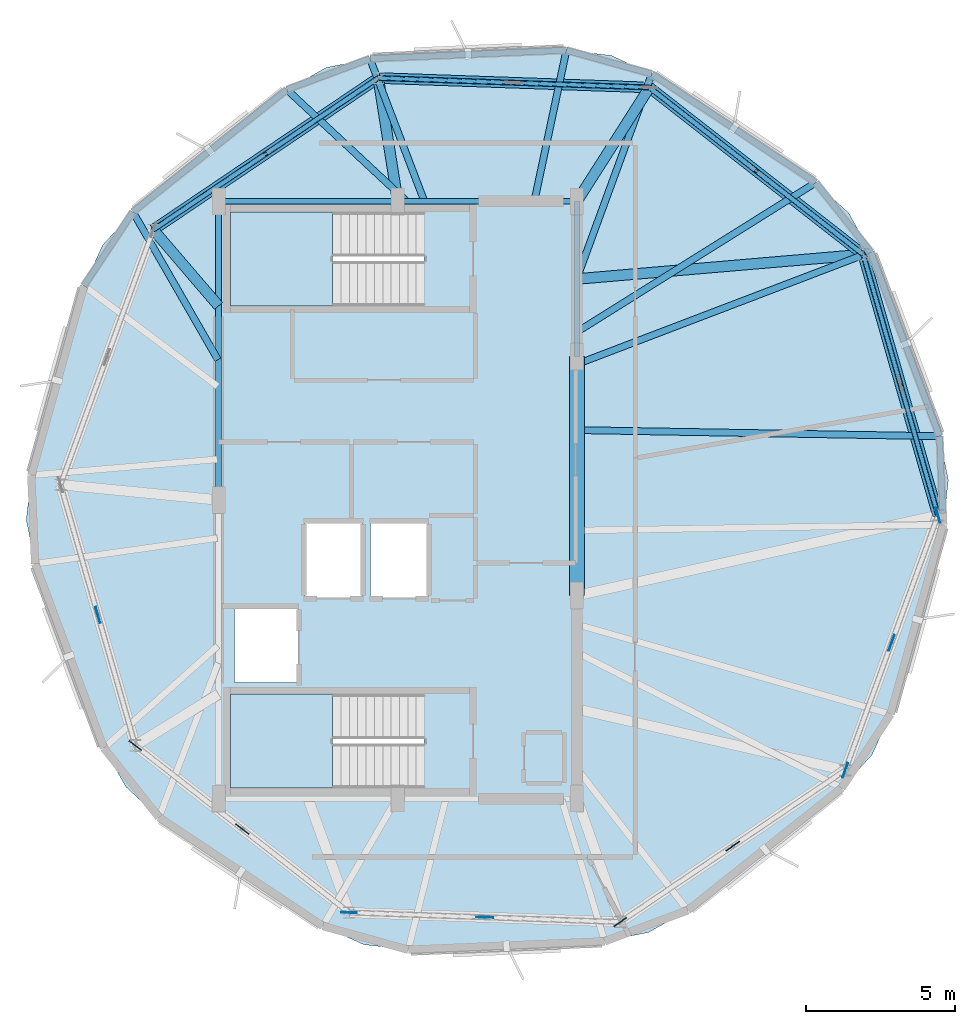
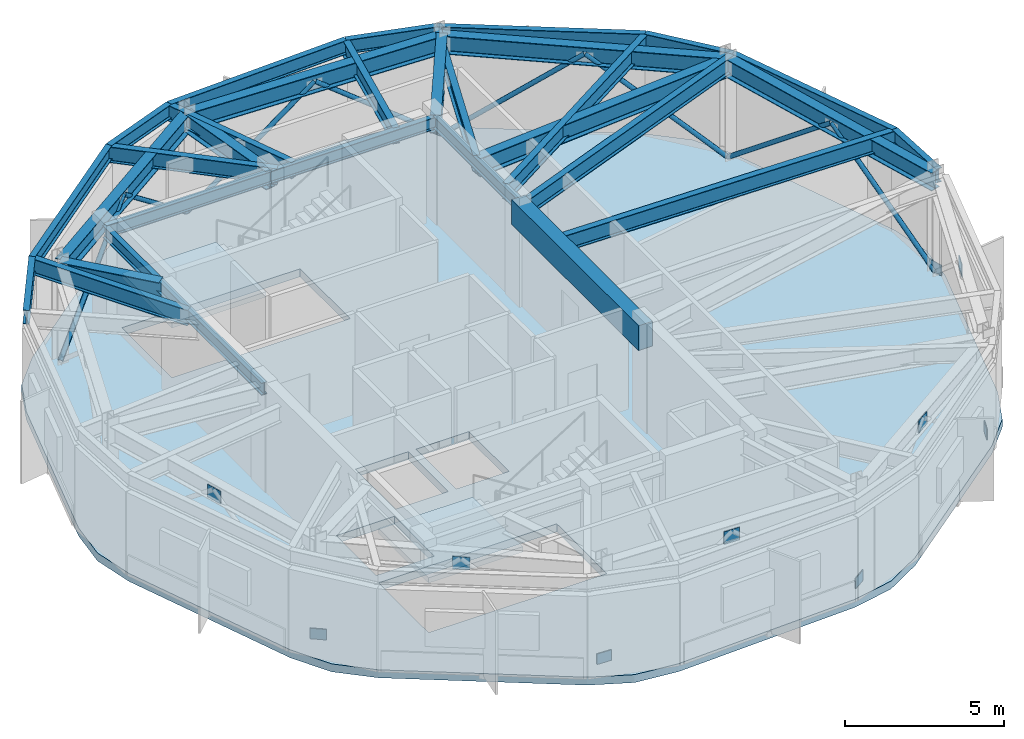
# One storey, part 2 of 6: 30 beams, 10 plates, 8 members, 3 slabs, 2 elements without a shape of their own.
"""IFC4 building model written with IfcOpenShell, lengths in metres."""

from ifc_helpers import new_model, si_unit, direction, frame, origin, origin_2d, place, context, subcontext, project, spatial, polyline, rectangle, hollow_circle, i_section, outline, extrude, material, layer, layer_set, material_profile, profile_set, type_object, element, aggregate, save


model = new_model("IFC4")

# Units and contexts
model_context = context("Model", 3, precision=1e-05, world=origin(), true_north=direction((0.0, 1.0)))
body_context = subcontext(model_context, "Body", "Model", "MODEL_VIEW")
ifc_project = project(units=[si_unit("LENGTHUNIT", "METRE"), si_unit("AREAUNIT", "SQUARE_METRE"), si_unit("VOLUMEUNIT", "CUBIC_METRE"), si_unit("PLANEANGLEUNIT", "RADIAN"), si_unit("MASSUNIT", "GRAM", prefix="KILO")], contexts=[model_context])

# Site, building, storey
site_placement = place(None, origin())
site = spatial("IfcSite", under=ifc_project, at=site_placement, CompositionType="ELEMENT")
building_placement = place(site_placement, origin())
building = spatial("IfcBuilding", under=site, at=building_placement, Name="Soratama Intermodal Tower", CompositionType="ELEMENT")
storey_placement = place(building_placement, frame((0.0, 0.0, 309.85009765625)))
storey = spatial("IfcBuildingStorey", under=building, at=storey_placement, Name="L78", CompositionType="ELEMENT", Elevation=309.85009765625)

# Beams
ifc_material_1 = material(Name="Concrete f'c 56 MPa", Category="concrete")
ifc_material_profile_1 = material_profile(ifc_material_1, rectangle(XDim=0.5, YDim=0.949951171875, at=origin_2d()), Name="RC500X950")
ifc_profile_set_1 = profile_set([ifc_material_profile_1], Name="Concrete f'c 56 MPa")
beam_type_1 = type_object("IfcBeamType", Name="BM-CPL-RC500X950", PredefinedType="BEAM", material=ifc_profile_set_1)
beam_1_placement = place(storey_placement, frame((44.60009765625, 21.800048828125, 3.419921875), z_axis=(0.0, 1.0, 0.0), x_axis=(-1.0, 0.0, 0.0)))
element("IfcBeam", 1, at=beam_1_placement, inside=storey, type_object=beam_type_1, Name="L78 Core Coupling Beam East", PredefinedType="BEAM", context=body_context, shape_type="SweptSolid", body=[
    extrude(rectangle(XDim=0.5, YDim=0.949951171875, at=origin_2d()), origin(), (0.0, 0.0, 1.0), 8.0),
])
ifc_material_2 = material(Name="Structural steel ASTM A992 Grade 50", Category="steel")
ifc_material_profile_2 = material_profile(ifc_material_2, i_section(OverallWidth=0.19091796875, OverallDepth=0.4599609375, WebThickness=0.010009765625, FlangeThickness=0.01611328125, FilletRadius=0.010986328125, at=origin_2d()), Name="W18X55")
ifc_profile_set_2 = profile_set([ifc_material_profile_2], Name="Structural steel ASTM A992 Grade 50")
beam_type_2 = type_object("IfcBeamType", Name="BM-FLR-W18X55", PredefinedType="BEAM", material=ifc_profile_set_2)
beam_2_placement = place(storey_placement, frame((44.60009765625, 29.800048828125, 3.664794921875), z_axis=(0.0, 1.0, 0.0), x_axis=(-1.0, 0.0, 0.0)))
element("IfcBeam", 2, at=beam_2_placement, inside=storey, type_object=beam_type_2, Name="BM-L78-CRING-05", PredefinedType="BEAM", context=body_context, shape_type="SweptSolid", body=[
    extrude(i_section(OverallWidth=0.19091796875, OverallDepth=0.4599609375, WebThickness=0.010009765625, FlangeThickness=0.01611328125, FilletRadius=0.010986328125, at=origin_2d()), origin(), (0.0, 0.0, 1.0), 5.199951171875),
])
for number, where, z_axis, x_axis, name in (
    (3, (44.60009765625, 35.0, 3.664794921875), (-1.0, 0.0, 0.0), (0.0, -1.0, 0.0), "BM-L78-CRING-06"),
    (4, (38.60009765625, 35.0, 3.664794921875), (-1.0, 0.0, 0.0), (0.0, -1.0, 0.0), "BM-L78-CRING-07"),
):
    element("IfcBeam", number, at=place(storey_placement, frame(where, z_axis=z_axis, x_axis=x_axis)), inside=storey, type_object=beam_type_2, Name=name, PredefinedType="BEAM", context=body_context, shape_type="SweptSolid", body=[
        extrude(i_section(OverallWidth=0.19091796875, OverallDepth=0.4599609375, WebThickness=0.010009765625, FlangeThickness=0.01611328125, FilletRadius=0.010986328125, at=origin_2d()), origin(), (0.0, 0.0, 1.0), 6.0),
    ])
beam_3_placement = place(storey_placement, frame((32.60009765625, 35.0, 3.664794921875), z_axis=(0.0, -1.0, 0.0), x_axis=(1.0, 0.0, 0.0)))
element("IfcBeam", 5, at=beam_3_placement, inside=storey, type_object=beam_type_2, Name="BM-L78-CRING-08", PredefinedType="BEAM", context=body_context, shape_type="SweptSolid", body=[
    extrude(i_section(OverallWidth=0.19091796875, OverallDepth=0.4599609375, WebThickness=0.010009765625, FlangeThickness=0.01611328125, FilletRadius=0.010986328125, at=origin_2d()), origin(), (0.0, 0.0, 1.0), 10.0),
])
ifc_material_3 = material(Name="Structural steel ASTM A992 Grade 50", Category="steel")
ifc_material_profile_3 = material_profile(ifc_material_3, i_section(OverallWidth=0.35498046875, OverallDepth=0.695068359375, WebThickness=0.015380859375, FlangeThickness=0.02490234375, FilletRadius=0.01611328125, at=origin_2d()), Name="W27X146")
ifc_profile_set_3 = profile_set([ifc_material_profile_3], Name="Structural steel ASTM A992 Grade 50")
beam_type_3 = type_object("IfcBeamType", Name="BM-RING-W27X146", PredefinedType="BEAM", material=ifc_profile_set_3)
beam_4_placement = place(storey_placement, frame((54.18701171875, 33.219970703125, 3.54736328125), z_axis=(-0.78801907717, 0.615650821502, 0.0), x_axis=(-0.615650821502, -0.78801907717, 0.0)))
element("IfcBeam", 6, at=beam_4_placement, inside=storey, type_object=beam_type_3, Name="BM-L78-RING-01", PredefinedType="BEAM", context=body_context, shape_type="SweptSolid", body=[
    extrude(i_section(OverallWidth=0.35498046875, OverallDepth=0.695068359375, WebThickness=0.015380859375, FlangeThickness=0.02490234375, FilletRadius=0.01611328125, at=origin_2d()), origin(), (0.0, 0.0, 1.0), 9.084716796875),
])
beam_5_placement = place(storey_placement, frame((47.028076171875, 38.81298828125, 3.54736328125), z_axis=(-0.999391551516, 0.034878743651, 0.0), x_axis=(-0.034878743651, -0.999391551516, 0.0)))
element("IfcBeam", 7, at=beam_5_placement, inside=storey, type_object=beam_type_3, Name="BM-L78-RING-02", PredefinedType="BEAM", context=body_context, shape_type="SweptSolid", body=[
    extrude(i_section(OverallWidth=0.35498046875, OverallDepth=0.695068359375, WebThickness=0.015380859375, FlangeThickness=0.02490234375, FilletRadius=0.01611328125, at=origin_2d()), origin(), (0.0, 0.0, 1.0), 9.085693359375),
])
beam_6_placement = place(storey_placement, frame((37.947998046875, 39.1298828125, 3.54736328125), z_axis=(-0.829065755123, -0.559151118824, 0.0), x_axis=(0.559151118824, -0.829065755123, 0.0)))
element("IfcBeam", 8, at=beam_6_placement, inside=storey, type_object=beam_type_3, Name="BM-L78-RING-03", PredefinedType="BEAM", context=body_context, shape_type="SweptSolid", body=[
    extrude(i_section(OverallWidth=0.35498046875, OverallDepth=0.695068359375, WebThickness=0.015380859375, FlangeThickness=0.02490234375, FilletRadius=0.01611328125, at=origin_2d()), origin(), (0.0, 0.0, 1.0), 9.0849609375),
])
beam_7_placement = place(storey_placement, frame((56.69091796875, 24.487060546875, 3.54736328125), z_axis=(-0.275615442928, 0.961267979088, 0.0), x_axis=(-0.961267979088, -0.275615442928, 0.0)))
element("IfcBeam", 9, at=beam_7_placement, inside=storey, type_object=beam_type_3, Name="BM-L78-RING-10", PredefinedType="BEAM", context=body_context, shape_type="SweptSolid", body=[
    extrude(i_section(OverallWidth=0.35498046875, OverallDepth=0.695068359375, WebThickness=0.015380859375, FlangeThickness=0.02490234375, FilletRadius=0.01611328125, at=origin_2d()), origin(), (0.0, 0.0, 1.0), 9.084716796875),
])
beam_8_placement = place(storey_placement, frame((44.60009765625, 32.39990234375, 3.54736328125), z_axis=(0.996361377068, 0.085229139899, 0.0), x_axis=(-0.085229139899, 0.996361377068, 0.0)))
element("IfcBeam", 10, at=beam_8_placement, inside=storey, type_object=beam_type_3, Name="BM-L78-RAD-01", PredefinedType="BEAM", context=body_context, shape_type="SweptSolid", body=[
    extrude(i_section(OverallWidth=0.35498046875, OverallDepth=0.695068359375, WebThickness=0.015380859375, FlangeThickness=0.02490234375, FilletRadius=0.01611328125, at=origin_2d()), origin(), (0.0, 0.0, 1.0), 9.621826171875),
])
beam_9_placement = place(storey_placement, frame((44.60009765625, 35.0, 3.54736328125), z_axis=(0.537116603261, 0.843508005001, 0.0), x_axis=(-0.843508005001, 0.537116603261, 0.0)))
element("IfcBeam", 11, at=beam_9_placement, inside=storey, type_object=beam_type_3, Name="BM-L78-RAD-02", PredefinedType="BEAM", context=body_context, shape_type="SweptSolid", body=[
    extrude(i_section(OverallWidth=0.35498046875, OverallDepth=0.695068359375, WebThickness=0.015380859375, FlangeThickness=0.02490234375, FilletRadius=0.01611328125, at=origin_2d()), origin(), (0.0, 0.0, 1.0), 4.5205078125),
])
beam_10_placement = place(storey_placement, frame((38.60009765625, 35.0, 3.54736328125), z_axis=(-0.155965571991, 0.987762491874, 0.0), x_axis=(-0.987762491874, -0.155965571991, 0.0)))
element("IfcBeam", 12, at=beam_10_placement, inside=storey, type_object=beam_type_3, Name="BM-L78-RAD-03", PredefinedType="BEAM", context=body_context, shape_type="SweptSolid", body=[
    extrude(i_section(OverallWidth=0.35498046875, OverallDepth=0.695068359375, WebThickness=0.015380859375, FlangeThickness=0.02490234375, FilletRadius=0.01611328125, at=origin_2d()), origin(), (0.0, 0.0, 1.0), 4.18115234375),
])
beam_11_placement = place(storey_placement, frame((32.60009765625, 31.5, 3.54736328125), z_axis=(-0.650503890691, 0.759502921782, 0.0), x_axis=(-0.759502921782, -0.650503890691, 0.0)))
element("IfcBeam", 13, at=beam_11_placement, inside=storey, type_object=beam_type_3, Name="BM-L78-RAD-04", PredefinedType="BEAM", context=body_context, shape_type="SweptSolid", body=[
    extrude(i_section(OverallWidth=0.35498046875, OverallDepth=0.695068359375, WebThickness=0.015380859375, FlangeThickness=0.02490234375, FilletRadius=0.01611328125, at=origin_2d()), origin(), (0.0, 0.0, 1.0), 3.357421875),
])
ifc_material_4 = material(Name="Structural steel ASTM A992 Grade 50", Category="steel")
ifc_material_profile_4 = material_profile(ifc_material_4, i_section(OverallWidth=0.2099609375, OverallDepth=0.537109375, WebThickness=0.010986328125, FlangeThickness=0.017333984375, FilletRadius=0.012939453125, at=origin_2d()), Name="W21X68")
ifc_profile_set_4 = profile_set([ifc_material_profile_4], Name="Structural steel ASTM A992 Grade 50")
beam_type_4 = type_object("IfcBeamType", Name="BM-SPN-W21X68", PredefinedType="SPANDREL", material=ifc_profile_set_4)
beam_12_placement = place(storey_placement, frame((44.248046875, 40.05908203125, 3.62646484375), z_axis=(-0.999074537911, -0.043012413301, 0.0), x_axis=(0.043012413301, -0.999074537911, 0.0)))
element("IfcBeam", 14, at=beam_12_placement, inside=storey, type_object=beam_type_4, Name="BS-L78-F01", PredefinedType="SPANDREL", context=body_context, shape_type="SweptSolid", body=[
    extrude(i_section(OverallWidth=0.2099609375, OverallDepth=0.537109375, WebThickness=0.010986328125, FlangeThickness=0.017333984375, FilletRadius=0.012939453125, at=origin_2d()), origin(), (0.0, 0.0, 1.0), 6.584228515625),
])
beam_13_placement = place(storey_placement, frame((37.669921875, 39.77587890625, 3.62646484375), z_axis=(-0.937010805341, -0.349300373138, 0.0), x_axis=(0.349300373138, -0.937010805341, 0.0)))
element("IfcBeam", 15, at=beam_13_placement, inside=storey, type_object=beam_type_4, Name="BS-L78-CRN01", PredefinedType="SPANDREL", context=body_context, shape_type="SweptSolid", body=[
    extrude(i_section(OverallWidth=0.2099609375, OverallDepth=0.537109375, WebThickness=0.010986328125, FlangeThickness=0.017333984375, FilletRadius=0.012939453125, at=origin_2d()), origin(), (0.0, 0.0, 1.0), 2.965576171875),
])
beam_14_placement = place(storey_placement, frame((34.89111328125, 38.739990234375, 3.62646484375), z_axis=(-0.78307419976, -0.621928289814, 0.0), x_axis=(0.621928289814, -0.78307419976, 0.0)))
element("IfcBeam", 16, at=beam_14_placement, inside=storey, type_object=beam_type_4, Name="BS-L78-F02", PredefinedType="SPANDREL", context=body_context, shape_type="SweptSolid", body=[
    extrude(i_section(OverallWidth=0.2099609375, OverallDepth=0.537109375, WebThickness=0.010986328125, FlangeThickness=0.017333984375, FilletRadius=0.012939453125, at=origin_2d()), origin(), (0.0, 0.0, 1.0), 6.584228515625),
])
beam_15_placement = place(storey_placement, frame((29.735107421875, 34.64501953125, 3.62646484375), z_axis=(-0.552495410826, -0.83351593927, 0.0), x_axis=(0.83351593927, -0.552495410826, 0.0)))
element("IfcBeam", 17, at=beam_15_placement, inside=storey, type_object=beam_type_4, Name="BS-L78-CRN02", PredefinedType="SPANDREL", context=body_context, shape_type="SweptSolid", body=[
    extrude(i_section(OverallWidth=0.2099609375, OverallDepth=0.537109375, WebThickness=0.010986328125, FlangeThickness=0.017333984375, FilletRadius=0.012939453125, at=origin_2d()), origin(), (0.0, 0.0, 1.0), 2.966796875),
])
beam_16_placement = place(storey_placement, frame((56.85107421875, 24.552978515625, 3.62646484375), z_axis=(-0.042982177272, 0.999075839182, 0.0), x_axis=(-0.999075839182, -0.042982177272, 0.0)))
element("IfcBeam", 18, at=beam_16_placement, inside=storey, type_object=beam_type_4, Name="BS-L78-CRN08", PredefinedType="SPANDREL", context=body_context, shape_type="SweptSolid", body=[
    extrude(i_section(OverallWidth=0.2099609375, OverallDepth=0.537109375, WebThickness=0.010986328125, FlangeThickness=0.017333984375, FilletRadius=0.012939453125, at=origin_2d()), origin(), (0.0, 0.0, 1.0), 2.58447265625),
])
beam_17_placement = place(storey_placement, frame((56.739990234375, 27.135009765625, 3.62646484375), z_axis=(-0.349481212587, 0.936943371847, 0.0), x_axis=(-0.936943371847, -0.349481212587, 0.0)))
element("IfcBeam", 19, at=beam_17_placement, inside=storey, type_object=beam_type_4, Name="BS-L78-F09", PredefinedType="SPANDREL", context=body_context, shape_type="SweptSolid", body=[
    extrude(i_section(OverallWidth=0.2099609375, OverallDepth=0.537109375, WebThickness=0.010986328125, FlangeThickness=0.017333984375, FilletRadius=0.012939453125, at=origin_2d()), origin(), (0.0, 0.0, 1.0), 6.584228515625),
])
beam_18_placement = place(storey_placement, frame((54.43896484375, 33.303955078125, 3.62646484375), z_axis=(-0.621931128655, 0.783071945104, 0.0), x_axis=(-0.783071945104, -0.621931128655, 0.0)))
element("IfcBeam", 20, at=beam_18_placement, inside=storey, type_object=beam_type_4, Name="BS-L78-CRN09", PredefinedType="SPANDREL", context=body_context, shape_type="SweptSolid", body=[
    extrude(i_section(OverallWidth=0.2099609375, OverallDepth=0.537109375, WebThickness=0.010986328125, FlangeThickness=0.017333984375, FilletRadius=0.012939453125, at=origin_2d()), origin(), (0.0, 0.0, 1.0), 2.966552734375),
])
beam_19_placement = place(storey_placement, frame((52.593994140625, 35.626953125, 3.62646484375), z_axis=(-0.833570379181, 0.552413271883, 0.0), x_axis=(-0.552413271883, -0.833570379181, 0.0)))
element("IfcBeam", 21, at=beam_19_placement, inside=storey, type_object=beam_type_4, Name="BS-L78-F10", PredefinedType="SPANDREL", context=body_context, shape_type="SweptSolid", body=[
    extrude(i_section(OverallWidth=0.2099609375, OverallDepth=0.537109375, WebThickness=0.010986328125, FlangeThickness=0.017333984375, FilletRadius=0.012939453125, at=origin_2d()), origin(), (0.0, 0.0, 1.0), 6.583740234375),
])
beam_20_placement = place(storey_placement, frame((47.10595703125, 39.263916015625, 3.62646484375), z_axis=(-0.963404631387, 0.26805133132, 0.0), x_axis=(-0.26805133132, -0.963404631387, 0.0)))
element("IfcBeam", 22, at=beam_20_placement, inside=storey, type_object=beam_type_4, Name="BS-L78-CRN10", PredefinedType="SPANDREL", context=body_context, shape_type="SweptSolid", body=[
    extrude(i_section(OverallWidth=0.2099609375, OverallDepth=0.537109375, WebThickness=0.010986328125, FlangeThickness=0.017333984375, FilletRadius=0.012939453125, at=origin_2d()), origin(), (0.0, 0.0, 1.0), 2.966552734375),
])
ifc_material_5 = material(Name="Structural steel ASTM A992 Grade 50", Category="steel")
ifc_material_profile_5 = material_profile(ifc_material_5, i_section(OverallWidth=0.22900390625, OverallDepth=0.612060546875, WebThickness=0.011962890625, FlangeThickness=0.01953125, FilletRadius=0.012939453125, at=origin_2d()), Name="W24X84")
ifc_profile_set_5 = profile_set([ifc_material_profile_5], Name="Structural steel ASTM A992 Grade 50")
beam_type_5 = type_object("IfcBeamType", Name="BM-TIE-W24X84", PredefinedType="BEAM", material=ifc_profile_set_5)
beam_21_placement = place(storey_placement, frame((43.18310546875, 35.0390625, 3.5888671875), z_axis=(0.207520763311, 0.978230613299, 0.0), x_axis=(-0.978230613299, 0.207520763311, 0.0)))
element("IfcBeam", 23, at=beam_21_placement, inside=storey, type_object=beam_type_5, Name="BM-L78-TIE0-01", PredefinedType="BEAM", context=body_context, shape_type="SweptSolid", body=[
    extrude(i_section(OverallWidth=0.22900390625, OverallDepth=0.612060546875, WebThickness=0.011962890625, FlangeThickness=0.01953125, FilletRadius=0.012939453125, at=origin_2d()), origin(), (0.0, 0.0, 1.0), 5.1318359375),
])
beam_22_placement = place(storey_placement, frame((39.47900390625, 35.037109375, 3.5888671875), z_axis=(-0.356655738735, 0.934235882434, 0.0), x_axis=(-0.934235882434, -0.356655738735, 0.0)))
element("IfcBeam", 24, at=beam_22_placement, inside=storey, type_object=beam_type_5, Name="BM-L78-TIE1-01", PredefinedType="BEAM", context=body_context, shape_type="SweptSolid", body=[
    extrude(i_section(OverallWidth=0.22900390625, OverallDepth=0.612060546875, WebThickness=0.011962890625, FlangeThickness=0.01953125, FilletRadius=0.012939453125, at=origin_2d()), origin(), (0.0, 0.0, 1.0), 5.072265625),
])
beam_23_placement = place(storey_placement, frame((38.8759765625, 35.027099609375, 3.5888671875), z_axis=(-0.731633365009, 0.68169833446, 0.0), x_axis=(-0.68169833446, -0.731633365009, 0.0)))
element("IfcBeam", 25, at=beam_23_placement, inside=storey, type_object=beam_type_5, Name="BM-L78-TIE0-02", PredefinedType="BEAM", context=body_context, shape_type="SweptSolid", body=[
    extrude(i_section(OverallWidth=0.22900390625, OverallDepth=0.612060546875, WebThickness=0.011962890625, FlangeThickness=0.01953125, FilletRadius=0.012939453125, at=origin_2d()), origin(), (0.0, 0.0, 1.0), 5.446533203125),
])
beam_24_placement = place(storey_placement, frame((32.580078125, 29.696044921875, 3.5888671875), z_axis=(-0.49838032151, 0.86695850831, 0.0), x_axis=(-0.86695850831, -0.49838032151, 0.0)))
element("IfcBeam", 26, at=beam_24_placement, inside=storey, type_object=beam_type_5, Name="BM-L78-TIE1-02", PredefinedType="BEAM", context=body_context, shape_type="SweptSolid", body=[
    extrude(i_section(OverallWidth=0.22900390625, OverallDepth=0.612060546875, WebThickness=0.011962890625, FlangeThickness=0.01953125, FilletRadius=0.012939453125, at=origin_2d()), origin(), (0.0, 0.0, 1.0), 5.70849609375),
])
beam_25_placement = place(storey_placement, frame((44.8349609375, 27.3369140625, 3.5888671875), z_axis=(0.999856217339, -0.016957141516, 0.0), x_axis=(0.016957141516, 0.999856217339, 0.0)))
element("IfcBeam", 27, at=beam_25_placement, inside=storey, type_object=beam_type_5, Name="BM-L78-TIE0-09", PredefinedType="BEAM", context=body_context, shape_type="SweptSolid", body=[
    extrude(i_section(OverallWidth=0.22900390625, OverallDepth=0.612060546875, WebThickness=0.011962890625, FlangeThickness=0.01953125, FilletRadius=0.012939453125, at=origin_2d()), origin(), (0.0, 0.0, 1.0), 11.90673828125),
])
beam_26_placement = place(storey_placement, frame((44.820068359375, 29.632080078125, 3.5888671875), z_axis=(0.93424410067, 0.35663421087, 0.0), x_axis=(-0.35663421087, 0.93424410067, 0.0)))
element("IfcBeam", 28, at=beam_26_placement, inside=storey, type_object=beam_type_5, Name="BM-L78-TIE1-09", PredefinedType="BEAM", context=body_context, shape_type="SweptSolid", body=[
    extrude(i_section(OverallWidth=0.22900390625, OverallDepth=0.612060546875, WebThickness=0.011962890625, FlangeThickness=0.01953125, FilletRadius=0.012939453125, at=origin_2d()), origin(), (0.0, 0.0, 1.0), 10.2958984375),
])
beam_27_placement = place(storey_placement, frame((44.634033203125, 30.64794921875, 3.5888671875), z_axis=(0.847805415822, 0.530307436213, 0.0), x_axis=(-0.530307436213, 0.847805415822, 0.0)))
element("IfcBeam", 29, at=beam_27_placement, inside=storey, type_object=beam_type_5, Name="BM-L78-TIE0-10", PredefinedType="BEAM", context=body_context, shape_type="SweptSolid", body=[
    extrude(i_section(OverallWidth=0.22900390625, OverallDepth=0.612060546875, WebThickness=0.011962890625, FlangeThickness=0.01953125, FilletRadius=0.012939453125, at=origin_2d()), origin(), (0.0, 0.0, 1.0), 9.388916015625),
])
beam_28_placement = place(storey_placement, frame((44.614013671875, 32.4560546875, 3.5888671875), z_axis=(0.3437351024, 0.93906665332, 0.0), x_axis=(-0.93906665332, 0.3437351024, 0.0)))
element("IfcBeam", 30, at=beam_28_placement, inside=storey, type_object=beam_type_5, Name="BM-L78-TIE1-10", PredefinedType="BEAM", context=body_context, shape_type="SweptSolid", body=[
    extrude(i_section(OverallWidth=0.22900390625, OverallDepth=0.612060546875, WebThickness=0.011962890625, FlangeThickness=0.01953125, FilletRadius=0.012939453125, at=origin_2d()), origin(), (0.0, 0.0, 1.0), 7.24951171875),
])

# Members
ifc_material_6 = material(Name="Structural steel ASTM A500 Grade C", Category="steel")
ifc_material_profile_6 = material_profile(ifc_material_6, hollow_circle(Radius=0.084228515625, WallThickness=0.008056640625, at=origin_2d()), Name="CHS168X8")
ifc_profile_set_6 = profile_set([ifc_material_profile_6], Name="Structural steel ASTM A500 Grade C")
member_type = type_object("IfcMemberType", Name="MB-STRUT-CHS168", PredefinedType="BRACE", material=ifc_profile_set_6)
member_1_placement = place(storey_placement, frame((54.18701171875, 33.22021484375, 0.010009765625), z_axis=(-0.621738877699, 0.485746749696, 0.614402850838), x_axis=(-0.615654471605, -0.788016225463, 0.0)))
element("IfcMember", 31, at=member_1_placement, inside=storey, type_object=member_type, Name="L78 Belt Truss Brace A 01", PredefinedType="BRACE", context=body_context, shape_type="SweptSolid", body=[
    extrude(hollow_circle(Radius=0.084228515625, WallThickness=0.008056640625, at=origin_2d()), origin(), (0.0, 0.0, 1.0), 5.75732421875),
])
member_2_placement = place(storey_placement, frame((47.027587890625, 38.8134765625, 0.010009765625), z_axis=(0.621764889491, -0.485733943198, 0.614386652379), x_axis=(0.615628397983, 0.788036595341, 0.0)))
element("IfcMember", 32, at=member_2_placement, inside=storey, type_object=member_type, Name="L78 Belt Truss Brace B 01", PredefinedType="BRACE", context=body_context, shape_type="SweptSolid", body=[
    extrude(hollow_circle(Radius=0.084228515625, WallThickness=0.008056640625, at=origin_2d()), origin(), (0.0, 0.0, 1.0), 5.757568359375),
])
for number, where, z_axis, x_axis, name in (
    (33, (47.027587890625, 38.8134765625, 0.010009765625), (-0.788514070384, 0.027520604016, 0.614400665007), (-0.034880617074, -0.999391486132, 0.0), "L78 Belt Truss Brace A 02"),
    (34, (37.947998046875, 39.130615234375, 0.010009765625), (0.78851314948, -0.027562976454, 0.614399947449), (0.034934296707, 0.99938961117, 0.0), "L78 Belt Truss Brace B 02"),
    (35, (37.947998046875, 39.130615234375, 0.010009765625), (-0.654091736188, -0.441220389954, 0.614400983185), (0.559218987032, -0.829019978373, 0.0), "L78 Belt Truss Brace A 03"),
    (36, (30.416259765625, 34.05029296875, 0.010009765625), (0.654103973867, 0.441186239489, 0.614412478273), (-0.55918204767, 0.829044894782, 0.0), "L78 Belt Truss Brace B 03"),
    (37, (56.69091796875, 24.487060546875, 0.010009765625), (-0.217455944317, 0.758424251971, 0.614414816148), (-0.961267979088, -0.275615442928, 0.0), "L78 Belt Truss Brace A 10"),
):
    element("IfcMember", number, at=place(storey_placement, frame(where, z_axis=z_axis, x_axis=x_axis)), inside=storey, type_object=member_type, Name=name, PredefinedType="BRACE", context=body_context, shape_type="SweptSolid", body=[
        extrude(hollow_circle(Radius=0.084228515625, WallThickness=0.008056640625, at=origin_2d()), origin(), (0.0, 0.0, 1.0), 5.75732421875),
    ])
member_3_placement = place(storey_placement, frame((54.18701171875, 33.22021484375, 0.010009765625), z_axis=(0.217448950763, -0.758442264692, 0.614395056084), x_axis=(0.961272061614, 0.275601203844, 0.0)))
element("IfcMember", 38, at=member_3_placement, inside=storey, type_object=member_type, Name="L78 Belt Truss Brace B 10", PredefinedType="BRACE", context=body_context, shape_type="SweptSolid", body=[
    extrude(hollow_circle(Radius=0.084228515625, WallThickness=0.008056640625, at=origin_2d()), origin(), (0.0, 0.0, 1.0), 5.757568359375),
])

# Plates
ifc_material_7 = material(Name="Structural steel ASTM A992 Grade 50", Category="steel")
ifc_layer_1 = layer(ifc_material_7, 0.030029296875)
ifc_layer_set_1 = layer_set([ifc_layer_1], Name="Structural steel ASTM A992 Grade 50")
plate_type = type_object("IfcPlateType", Name="PL-GUSSET-30", PredefinedType="USERDEFINED", material=ifc_layer_set_1)
for number, where, z_axis, x_axis, name in (
    (39, (28.56103515625, 21.146484375, 3.12744140625), (0.0, 0.0, 1.0), (0.275637355817, -0.961261695938, 0.0), "L78 Belt Truss Apex Gusset 05"),
    (40, (33.392578125, 13.983154296875, 3.12744140625), (0.0, 0.0, 1.0), (0.788010753607, -0.615661475326, 0.0), "L78 Belt Truss Apex Gusset 06"),
):
    element("IfcPlate", number, at=place(storey_placement, frame(where, z_axis=z_axis, x_axis=x_axis)), inside=storey, type_object=plate_type, Name=name, ObjectType="GUSSET PLATE", PredefinedType="USERDEFINED", context=body_context, shape_type="SweptSolid", body=[
        extrude(rectangle(XDim=0.56005859375, YDim=0.030029296875, at=origin_2d()), origin(), (0.0, 0.0, 1.0), 0.47998046875),
    ])
plate_1_placement = place(storey_placement, frame((29.81298828125, 16.77978515625, -0.02001953125), z_axis=(0.0, 0.0, 1.0), x_axis=(0.788010753607, -0.615661475326, 0.0)))
element("IfcPlate", 41, at=plate_1_placement, inside=storey, type_object=plate_type, Name="L78 Belt Truss Foot Gusset 06", ObjectType="GUSSET PLATE", PredefinedType="USERDEFINED", context=body_context, shape_type="SweptSolid", body=[
    extrude(rectangle(XDim=0.52001953125, YDim=0.030029296875, at=origin_2d()), origin(), (0.0, 0.0, 1.0), 0.419921875),
])
plate_2_placement = place(storey_placement, frame((41.51220703125, 11.028076171875, 3.12744140625), z_axis=(0.0, 0.0, 1.0), x_axis=(0.999390827019, -0.034899496703, 0.0)))
element("IfcPlate", 42, at=plate_2_placement, inside=storey, type_object=plate_type, Name="L78 Belt Truss Apex Gusset 07", ObjectType="GUSSET PLATE", PredefinedType="USERDEFINED", context=body_context, shape_type="SweptSolid", body=[
    extrude(rectangle(XDim=0.56005859375, YDim=0.030029296875, at=origin_2d()), origin(), (0.0, 0.0, 1.0), 0.47998046875),
])
plate_3_placement = place(storey_placement, frame((36.972412109375, 11.1865234375, -0.02001953125), z_axis=(0.0, 0.0, 1.0), x_axis=(0.999390827019, -0.034899496703, 0.0)))
element("IfcPlate", 43, at=plate_3_placement, inside=storey, type_object=plate_type, Name="L78 Belt Truss Foot Gusset 07", ObjectType="GUSSET PLATE", PredefinedType="USERDEFINED", context=body_context, shape_type="SweptSolid", body=[
    extrude(rectangle(XDim=0.52001953125, YDim=0.030029296875, at=origin_2d()), origin(), (0.0, 0.0, 1.0), 0.419921875),
])
plate_4_placement = place(storey_placement, frame((49.81787109375, 13.40966796875, 3.12744140625), z_axis=(0.0, 0.0, 1.0), x_axis=(0.829037572555, 0.559192903471, 0.0)))
element("IfcPlate", 44, at=plate_4_placement, inside=storey, type_object=plate_type, Name="L78 Belt Truss Apex Gusset 08", ObjectType="GUSSET PLATE", PredefinedType="USERDEFINED", context=body_context, shape_type="SweptSolid", body=[
    extrude(rectangle(XDim=0.56005859375, YDim=0.030029296875, at=origin_2d()), origin(), (0.0, 0.0, 1.0), 0.47998046875),
])
plate_5_placement = place(storey_placement, frame((46.052001953125, 10.869384765625, -0.02001953125), z_axis=(0.0, 0.0, 1.0), x_axis=(0.829037572555, 0.559192903471, 0.0)))
element("IfcPlate", 45, at=plate_5_placement, inside=storey, type_object=plate_type, Name="L78 Belt Truss Foot Gusset 08", ObjectType="GUSSET PLATE", PredefinedType="USERDEFINED", context=body_context, shape_type="SweptSolid", body=[
    extrude(rectangle(XDim=0.52001953125, YDim=0.030029296875, at=origin_2d()), origin(), (0.0, 0.0, 1.0), 0.419921875),
])
plate_6_placement = place(storey_placement, frame((55.137451171875, 20.218505859375, 3.12744140625), z_axis=(0.0, 0.0, 1.0), x_axis=(0.342020143326, 0.939692620786, 0.0)))
element("IfcPlate", 46, at=plate_6_placement, inside=storey, type_object=plate_type, Name="L78 Belt Truss Apex Gusset 09", ObjectType="GUSSET PLATE", PredefinedType="USERDEFINED", context=body_context, shape_type="SweptSolid", body=[
    extrude(rectangle(XDim=0.56005859375, YDim=0.030029296875, at=origin_2d()), origin(), (0.0, 0.0, 1.0), 0.47998046875),
])
for number, where, z_axis, x_axis, name in (
    (47, (53.583740234375, 15.94970703125, -0.02001953125), (0.0, 0.0, 1.0), (0.342020143326, 0.939692620786, 0.0), "L78 Belt Truss Foot Gusset 09"),
    (48, (56.69091796875, 24.487060546875, -0.02001953125), (0.0, 0.0, 1.0), (-0.275637355817, 0.961261695938, 0.0), "L78 Belt Truss Foot Gusset 10"),
):
    element("IfcPlate", number, at=place(storey_placement, frame(where, z_axis=z_axis, x_axis=x_axis)), inside=storey, type_object=plate_type, Name=name, ObjectType="GUSSET PLATE", PredefinedType="USERDEFINED", context=body_context, shape_type="SweptSolid", body=[
        extrude(rectangle(XDim=0.52001953125, YDim=0.030029296875, at=origin_2d()), origin(), (0.0, 0.0, 1.0), 0.419921875),
    ])

# Slab
ifc_material_8 = material(Name="Concrete f'c 42 MPa", Category="concrete")
ifc_layer_2 = layer(ifc_material_8, 0.260009765625)
ifc_layer_set_2 = layer_set([ifc_layer_2], Name="Concrete f'c 42 MPa")
slab_type_1 = type_object("IfcSlabType", Name="SL-CRN-260", PredefinedType="FLOOR", material=ifc_layer_set_2)
slab_1_placement = place(storey_placement, frame((0.0, 0.0, -0.30517578125)))
element("IfcSlab", 49, at=slab_1_placement, inside=storey, type_object=slab_type_1, Name="L78 Structural Floor Slab", PredefinedType="FLOOR", context=body_context, shape_type="SweptSolid", body=[
    extrude(outline(polyline([(47.106201171875, 39.264404296875), (45.739990234375, 39.88818359375), (44.248046875, 40.05908203125), (37.670166015625, 39.776611328125), (36.198486328125, 39.478271484375), (34.890869140625, 38.739501953125), (29.7353515625, 34.64453125), (28.719970703125, 33.5380859375), (28.09619140625, 32.171875), (26.332275390625, 25.82861328125), (26.161376953125, 24.336669921875), (26.459716796875, 22.864990234375), (28.760986328125, 16.6962890625), (29.499755859375, 15.388671875), (30.606201171875, 14.373291015625), (36.093994140625, 10.735595703125), (37.4599609375, 10.11181640625), (38.951904296875, 9.94091796875), (45.52978515625, 10.223388671875), (47.001708984375, 10.521728515625), (48.30908203125, 11.260498046875), (53.464599609375, 15.35546875), (54.47998046875, 16.4619140625), (55.103759765625, 17.828125), (56.86767578125, 24.17138671875), (57.038818359375, 25.663330078125), (56.740478515625, 27.135009765625), (54.43896484375, 33.3037109375), (53.7001953125, 34.611328125), (52.59375, 35.626708984375), (47.106201171875, 39.264404296875)]), holes=[polyline([(33.0, 15.35009765625), (39.47509765625, 15.35009765625), (39.47509765625, 18.5), (33.0, 18.5), (33.0, 15.35009765625)]), polyline([(33.139892578125, 21.409912109375), (33.139892578125, 18.889892578125), (35.260009765625, 18.889892578125), (35.260009765625, 21.409912109375), (33.139892578125, 21.409912109375)]), polyline([(35.489990234375, 24.260009765625), (35.489990234375, 21.739990234375), (37.409912109375, 21.739990234375), (37.409912109375, 24.260009765625), (35.489990234375, 24.260009765625)]), polyline([(39.610107421875, 24.260009765625), (37.68994140625, 24.260009765625), (37.68994140625, 21.739990234375), (39.610107421875, 21.739990234375), (39.610107421875, 24.260009765625)]), polyline([(33.0, 34.64990234375), (33.0, 31.5), (39.47509765625, 31.5), (39.47509765625, 34.64990234375), (33.0, 34.64990234375)])]), origin(), (0.0, 0.0, 1.0), 0.30517578125),
])

# Stair, slab
ifc_material_9 = material(Name="Concrete f'c 42 MPa", Category="concrete")
stair_type = type_object("IfcStairType", Name="ST-CORE-DOGLEG", PredefinedType="HALF_TURN_STAIR", material=ifc_material_9)
stair_1_placement = place(storey_placement, origin())
stair_1 = element("IfcStair", 50, at=stair_1_placement, inside=storey, type_object=stair_type, Name="L78 ST-1", PredefinedType="HALF_TURN_STAIR")
ifc_material_10 = material(Name="Concrete f'c 42 MPa", Category="concrete")
ifc_layer_3 = layer(ifc_material_10, 0.219970703125)
ifc_layer_set_3 = layer_set([ifc_layer_3], Name="Concrete f'c 42 MPa")
slab_type_2 = type_object("IfcSlabType", Name="SL-STAIR-LAND", PredefinedType="LANDING", material=ifc_layer_set_3)
slab_2_placement = place(storey_placement, frame((0.0, 0.0, 1.89990234375)))
slab_2 = element("IfcSlab", 51, at=slab_2_placement, type_object=slab_type_2, Name="ST-1 landing 1", PredefinedType="LANDING", context=body_context, shape_type="SweptSolid", body=[
    extrude(outline(polyline([(36.419921875, 18.5), (33.0, 18.5), (33.0, 15.35009765625), (36.419921875, 15.35009765625), (36.419921875, 18.5)])), origin(), (0.0, 0.0, 1.0), 0.199951171875),
])
aggregate(stair_1, [slab_2])

stair_2_placement = place(storey_placement, origin())
stair_2 = element("IfcStair", 52, at=stair_2_placement, inside=storey, type_object=stair_type, Name="L78 ST-2", PredefinedType="HALF_TURN_STAIR")
slab_3_placement = place(storey_placement, frame((0.0, 0.0, 1.89990234375)))
slab_3 = element("IfcSlab", 53, at=slab_3_placement, type_object=slab_type_2, Name="ST-2 landing 1", PredefinedType="LANDING", context=body_context, shape_type="SweptSolid", body=[
    extrude(outline(polyline([(36.419921875, 34.64990234375), (33.0, 34.64990234375), (33.0, 31.5), (36.419921875, 31.5), (36.419921875, 34.64990234375)])), origin(), (0.0, 0.0, 1.0), 0.199951171875),
])
aggregate(stair_2, [slab_3])

save(model, "model.ifc")
